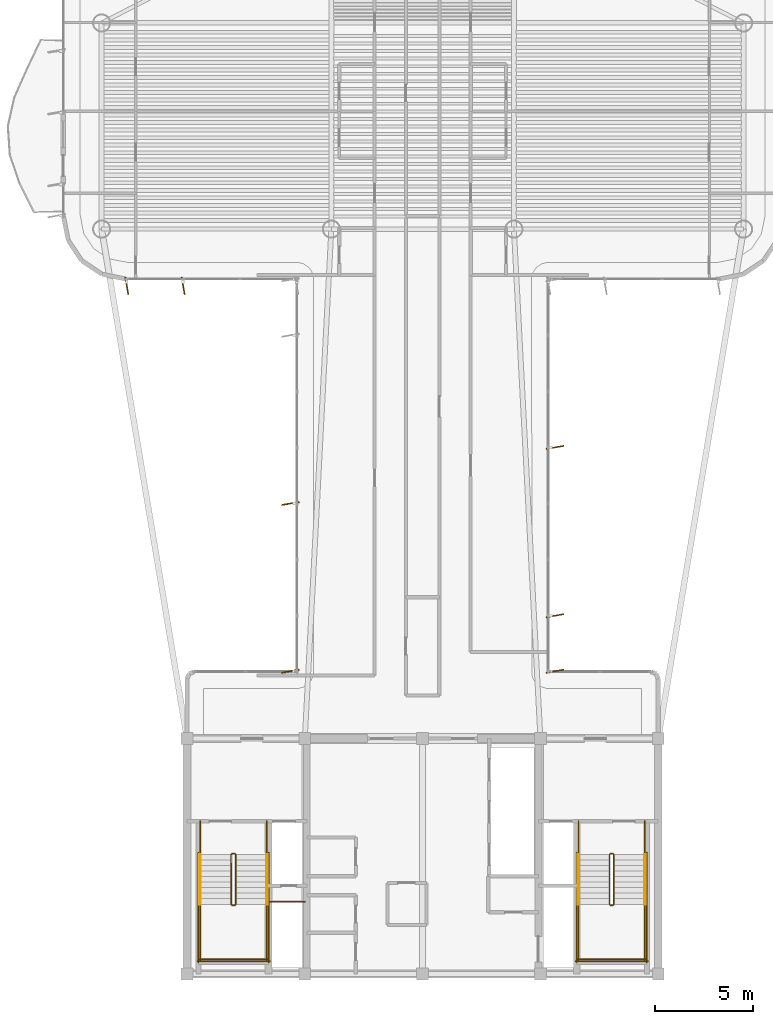
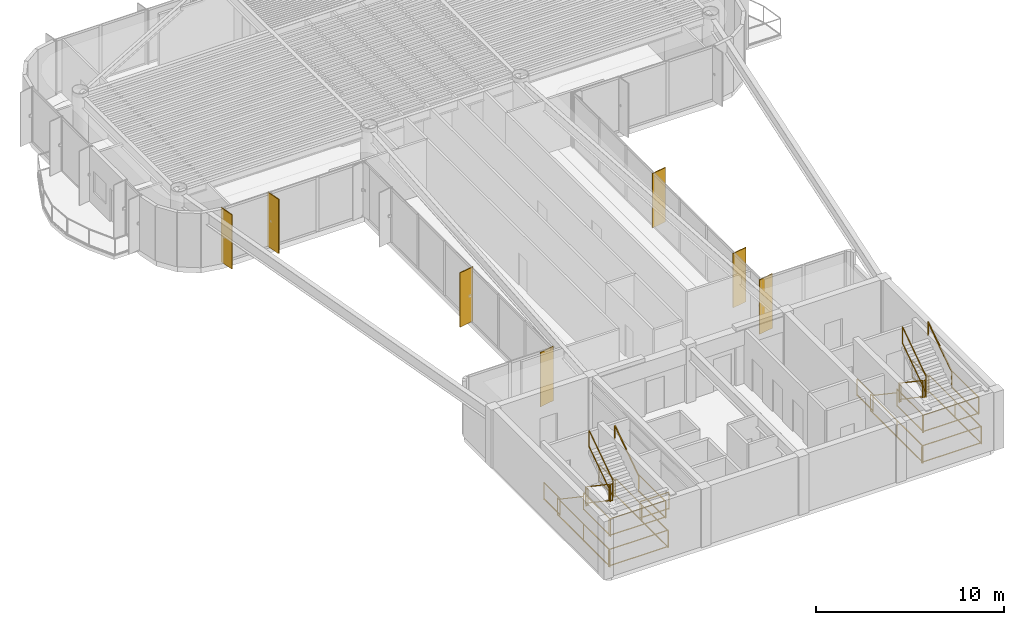
# One storey, part 15 of 16: 29 railings, 7 shading devices.
"""IFC4 building model written with IfcOpenShell, lengths in metres."""

import ifcopenshell
import ifcopenshell.guid

model = None  # the IFC model being written
_history = None  # IfcOwnerHistory: only IFC2X3 demands one
_inside = {}  # id of a spatial element -> (the spatial element, [elements in it])
_under = {}  # id of a project, library or spatial element -> (it, [spatial elements below it])
_declared = {}  # id of a project -> (the project, [libraries it declares])
_typed = {}  # id of a type object -> (the type object, [elements of that type])
_made_of = {}  # id of a material, layer set ... -> (it, [elements and type objects made of it])


def new_model(schema):
    """Start an empty IFC model of exactly this schema.

    Asked for "IFC4X3", IfcOpenShell would pick the latest addendum, in which some entities
    have other attributes; the version numbers below select the first issue.
    IFC2X3 requires an IfcOwnerHistory on every rooted entity: one is made here for all.
    """
    global model, _history
    if schema == "IFC4X3":
        model = ifcopenshell.file(schema_version=(4, 3, 0, 0))
    else:
        model = ifcopenshell.file(schema=schema)
    _inside.clear()
    _under.clear()
    _declared.clear()
    _typed.clear()
    _made_of.clear()
    _history = None
    if model.schema == "IFC2X3":
        org = make("IfcOrganization", Name="unknown")
        user = make(
            "IfcPersonAndOrganization",
            ThePerson=make("IfcPerson", FamilyName="unknown"),
            TheOrganization=org,
        )
        app = make(
            "IfcApplication",
            ApplicationDeveloper=org,
            Version="unknown",
            ApplicationFullName="unknown",
            ApplicationIdentifier="unknown",
        )
        _history = make(
            "IfcOwnerHistory",
            OwningUser=user,
            OwningApplication=app,
            ChangeAction="ADDED",
            CreationDate=0,
        )
    return model


def make(cls, **values):
    """One entity of the class cls with the attributes given. An attribute that is None is left unset."""
    return model.create_entity(
        cls, **{name: value for name, value in values.items() if value is not None}
    )


def rooted(cls, **values):
    """An entity with a GlobalId (a new one), such as an element, a storey or a relation."""
    return make(cls, GlobalId=ifcopenshell.guid.new(), OwnerHistory=_history, **values)


def si_unit(unit_type, name, prefix=None):
    """IfcSIUnit, for example si_unit("LENGTHUNIT", "METRE", prefix="MILLI")."""
    return make("IfcSIUnit", UnitType=unit_type, Prefix=prefix, Name=name)


def assignment(units):
    """IfcUnitAssignment: the units of a project."""
    return None if units is None else make("IfcUnitAssignment", Units=units)


def point(xyz):
    """IfcCartesianPoint."""
    return None if xyz is None else make("IfcCartesianPoint", Coordinates=xyz)


def direction(xyz):
    """IfcDirection."""
    return None if xyz is None else make("IfcDirection", DirectionRatios=xyz)


def frame(location, z_axis=None, x_axis=None):
    """IfcAxis2Placement3D, a coordinate frame: its origin and axes. An axis left out is left unset."""
    return make(
        "IfcAxis2Placement3D",
        Location=point(location),
        Axis=direction(z_axis),
        RefDirection=direction(x_axis),
    )


def frame_2d(location, x_axis=None):
    """IfcAxis2Placement2D, a coordinate frame in the plane: its origin and x axis."""
    return make(
        "IfcAxis2Placement2D", Location=point(location), RefDirection=direction(x_axis)
    )


def origin():
    """The frame at (0, 0, 0) with its axes left unset."""
    return frame((0.0, 0.0, 0.0))


def origin_2d():
    """The frame at (0, 0) in the plane with its x axis left unset."""
    return frame_2d((0.0, 0.0))


def place(relative_to, where):
    """IfcLocalPlacement: puts the frame where relative to a parent placement (None: the world)."""
    return make(
        "IfcLocalPlacement", PlacementRelTo=relative_to, RelativePlacement=where
    )


def context(
    kind, dimensions, precision=None, world=None, true_north=None, identifier=None
):
    """IfcGeometricRepresentationContext, for example the 3D "Model" context."""
    return make(
        "IfcGeometricRepresentationContext",
        ContextIdentifier=identifier,
        ContextType=kind,
        CoordinateSpaceDimension=dimensions,
        Precision=precision,
        WorldCoordinateSystem=world,
        TrueNorth=true_north,
    )


def subcontext(parent, identifier, kind, view, scale=None):
    """IfcGeometricRepresentationSubContext, for example "Body" below "Model"."""
    return make(
        "IfcGeometricRepresentationSubContext",
        ContextIdentifier=identifier,
        ContextType=kind,
        ParentContext=parent,
        TargetScale=scale,
        TargetView=view,
    )


def project(units=None, contexts=None):
    """IfcProject with its units and contexts."""
    return rooted(
        "IfcProject",
        Name="project",
        RepresentationContexts=contexts,
        UnitsInContext=assignment(units),
    )


def spatial(cls, under=None, at=None, **own):
    """A site, building, storey or space (cls), placed at a placement, below another one or the project."""
    s = rooted(cls, ObjectPlacement=at, **own)
    if under is not None:
        _under.setdefault(under.id(), (under, []))[1].append(s)
    return s


def profile(cls, at=None, kind="AREA", **sizes):
    """A parametric profile (cls). Its sizes go by their IFC names, for example OverallWidth=200.0."""
    return make(cls, ProfileType=kind, Position=at, **sizes)


def rectangle(**sizes):
    """IfcRectangleProfileDef."""
    return profile("IfcRectangleProfileDef", **sizes)


def extrude(swept, where, along, depth):
    """IfcExtrudedAreaSolid: the profile swept, set in the frame where, extruded along a direction by depth."""
    return make(
        "IfcExtrudedAreaSolid",
        SweptArea=swept,
        Position=where,
        ExtrudedDirection=direction(along),
        Depth=depth,
    )


def shape(context_of_items, identifier, shape_type, items):
    """IfcShapeRepresentation: the items that make up one representation, for example the "Body"."""
    return make(
        "IfcShapeRepresentation",
        ContextOfItems=context_of_items,
        RepresentationIdentifier=identifier,
        RepresentationType=shape_type,
        Items=items,
    )


def source(mapping_origin, context_of_items, identifier, shape_type, items):
    """IfcRepresentationMap: a shape defined once, which mapped items show again and again."""
    return make(
        "IfcRepresentationMap",
        MappingOrigin=mapping_origin,
        MappedRepresentation=shape(context_of_items, identifier, shape_type, items),
    )


def transform(
    local_origin,
    x_axis=None,
    y_axis=None,
    z_axis=None,
    scale=None,
    scale2=None,
    scale3=None,
    uniform=True,
):
    """IfcCartesianTransformationOperator3D, or its non-uniform kind. x_axis, y_axis, z_axis: its Axis1, 2, 3."""
    if uniform:
        return make(
            "IfcCartesianTransformationOperator3D",
            Axis1=direction(x_axis),
            Axis2=direction(y_axis),
            LocalOrigin=point(local_origin),
            Scale=scale,
            Axis3=direction(z_axis),
        )
    return make(
        "IfcCartesianTransformationOperator3DnonUniform",
        Axis1=direction(x_axis),
        Axis2=direction(y_axis),
        LocalOrigin=point(local_origin),
        Scale=scale,
        Axis3=direction(z_axis),
        Scale2=scale2,
        Scale3=scale3,
    )


def mapped(mapping_source, mapping_target):
    """IfcMappedItem: shows the shape of a source again, moved by a transform."""
    return make(
        "IfcMappedItem", MappingSource=mapping_source, MappingTarget=mapping_target
    )


def material(Name=None, Category=None):
    """IfcMaterial."""
    return make("IfcMaterial", Name=Name, Category=Category)


def layer(
    of_material, thickness, ventilated=None, Name=None, Category=None, Priority=None
):
    """IfcMaterialLayer: one layer of a wall or slab, of a material (None: an air gap)."""
    return make(
        "IfcMaterialLayer",
        Material=of_material,
        LayerThickness=thickness,
        IsVentilated=ventilated,
        Name=Name,
        Category=Category,
        Priority=Priority,
    )


def layer_set(layers, Name=None):
    """IfcMaterialLayerSet."""
    return make("IfcMaterialLayerSet", MaterialLayers=layers, LayerSetName=Name)


def material_profile(
    of_material, cross_section, Name=None, Category=None, Priority=None
):
    """IfcMaterialProfile: a cross section and its material."""
    return make(
        "IfcMaterialProfile",
        Name=Name,
        Material=of_material,
        Profile=cross_section,
        Priority=Priority,
        Category=Category,
    )


def profile_set(profiles, Name=None, composite=None):
    """IfcMaterialProfileSet."""
    return make(
        "IfcMaterialProfileSet",
        Name=Name,
        MaterialProfiles=profiles,
        CompositeProfile=composite,
    )


def made_of(thing, what):
    """Note that an element or type object is made of a material, layer set ...; save() writes the relation."""
    if what is not None:
        _made_of.setdefault(what.id(), (what, []))[1].append(thing)
    return thing


def type_object(cls, material=None, **own):
    """A type object (cls), such as IfcWallType, which elements share."""
    return made_of(rooted(cls, **own), material)


def element(
    cls,
    number,
    at=None,
    inside=None,
    cuts=None,
    type_object=None,
    material=None,
    context=None,
    identifier="Body",
    shape_type=None,
    held_by="IfcProductDefinitionShape",
    body=None,
    shapes=None,
    **own,
):
    """One element of the class cls, such as IfcWall. Its Tag is "e" and its number.

    at: its placement. inside: the storey or other place that contains it. cuts: it is an
    opening in that element (IfcRelVoidsElement). A single representation is given by context,
    identifier, shape_type and body (its items); several are given by shapes. held_by: the class
    of the entity that holds the representations. save() writes the other relations.
    """
    e = rooted(cls, Tag="e%d" % number, ObjectPlacement=at, **own)
    if body is not None:
        shapes = [shape(context, identifier, shape_type, body)]
    if shapes is not None:
        e.Representation = make(held_by, Representations=shapes)
    if inside is not None:
        _inside.setdefault(inside.id(), (inside, []))[1].append(e)
    if cuts is not None:
        rooted(
            "IfcRelVoidsElement", RelatingBuildingElement=cuts, RelatedOpeningElement=e
        )
    if type_object is not None:
        _typed.setdefault(type_object.id(), (type_object, []))[1].append(e)
    return made_of(e, material)


def aggregate(whole, parts):
    """IfcRelAggregates: a whole, such as a stair, and the parts it consists of."""
    return rooted("IfcRelAggregates", RelatingObject=whole, RelatedObjects=parts)


def save(model, path):
    """Write the relations noted so far, then the file.

    IfcRelAggregates (storeys below a building ...), IfcRelContainedInSpatialStructure (elements
    in a storey), IfcRelDefinesByType, IfcRelAssociatesMaterial and IfcRelDeclares: one each for
    every whole, place, type object, material and project.
    """
    for whole, parts in _under.values():
        aggregate(whole, parts)
    for where, things in _inside.values():
        rooted(
            "IfcRelContainedInSpatialStructure",
            RelatedElements=things,
            RelatingStructure=where,
        )
    for kind, things in _typed.values():
        rooted("IfcRelDefinesByType", RelatedObjects=things, RelatingType=kind)
    for what, things in _made_of.values():
        rooted("IfcRelAssociatesMaterial", RelatedObjects=things, RelatingMaterial=what)
    for by, libraries in _declared.values():
        rooted("IfcRelDeclares", RelatingContext=by, RelatedDefinitions=libraries)
    model.write(path)


model = new_model("IFC4")

# Units and contexts
model_context = context("Model", 3, precision=1e-05, world=origin(), true_north=direction((0.0, 1.0)))
body_context = subcontext(model_context, "Body", "Model", "MODEL_VIEW")
ifc_project = project(units=[si_unit("LENGTHUNIT", "METRE"), si_unit("AREAUNIT", "SQUARE_METRE"), si_unit("VOLUMEUNIT", "CUBIC_METRE"), si_unit("PLANEANGLEUNIT", "RADIAN"), si_unit("MASSUNIT", "GRAM", prefix="KILO")], contexts=[model_context])

# Site, building, storey
site_placement = place(None, origin())
site = spatial("IfcSite", under=ifc_project, at=site_placement, CompositionType="ELEMENT")
building_placement = place(site_placement, origin())
building = spatial("IfcBuilding", under=site, at=building_placement, Name="Brelvock Crest Care Tower", CompositionType="ELEMENT")
storey_placement = place(building_placement, frame((0.0, 0.0, 223.02001953125)))
storey = spatial("IfcBuildingStorey", under=building, at=storey_placement, Name="L56", CompositionType="ELEMENT", Elevation=223.02001953125)

# Railings
ifc_material_1 = material(Name="Steel Grade 350", Category="steel")
ifc_layer_1 = layer(ifc_material_1, 0.050048828125, Name="RL-STG1")
ifc_layer_set_1 = layer_set([ifc_layer_1], Name="Steel Grade 350")
railing_type_1 = type_object("IfcRailingType", Name="RL-STG1", PredefinedType="GUARDRAIL", material=ifc_layer_set_1)
railing_1_placement = place(storey_placement, frame((26.260009765625, 12.080078125, 0.18896484375)))
element("IfcRailing", 1, at=railing_1_placement, inside=storey, type_object=railing_type_1, Name="L56 ST-1 stair guard 1", PredefinedType="GUARDRAIL", context=body_context, shape_type="SweptSolid", body=[
    extrude(rectangle(XDim=0.048095703125, YDim=0.048095703125, at=origin_2d()), frame((0.0, -0.001708984375, 1.116943359375), z_axis=(0.0, -0.828861706735, 0.559453546873), x_axis=(1.0, 0.0, 0.0)), (0.0, 0.0, 1.0), 3.036376953125),
    extrude(rectangle(XDim=0.048095703125, YDim=0.048095703125, at=origin_2d()), frame((0.0, -0.001708984375, 0.05615234375), z_axis=(0.0, -0.828861706735, 0.559453546873), x_axis=(1.0, 0.0, 0.0)), (0.0, 0.0, 1.0), 3.036376953125),
    extrude(rectangle(XDim=0.0419921875, YDim=0.0419921875, at=origin_2d()), origin(), (0.0, 0.0, 1.0), 1.08984375),
    extrude(rectangle(XDim=0.0419921875, YDim=0.0419921875, at=origin_2d()), frame((0.0, -2.52001953125, 1.700927734375)), (0.0, 0.0, 1.0), 1.08984375),
])
railing_2_placement = place(storey_placement, frame((26.31005859375, 9.510009765625, 1.889892578125)))
element("IfcRailing", 2, at=railing_2_placement, inside=storey, type_object=railing_type_1, Name="L56 ST-1 stair guard 2", PredefinedType="GUARDRAIL", context=body_context, shape_type="SweptSolid", body=[
    extrude(rectangle(XDim=0.048095703125, YDim=0.048095703125, at=origin_2d()), frame((0.001953125, 0.0, 1.11572265625), z_axis=(1.0, 0.0, 0.0), x_axis=(0.0, 1.0, 0.0)), (0.0, 0.0, 1.0), 0.115966796875),
    extrude(rectangle(XDim=0.048095703125, YDim=0.048095703125, at=origin_2d()), frame((0.001953125, 0.0, 0.054931640625), z_axis=(1.0, 0.0, 0.0), x_axis=(0.0, 1.0, 0.0)), (0.0, 0.0, 1.0), 0.115966796875),
    extrude(rectangle(XDim=0.0419921875, YDim=0.0419921875, at=origin_2d()), origin(), (0.0, 0.0, 1.0), 1.08984375),
    extrude(rectangle(XDim=0.0419921875, YDim=0.0419921875, at=origin_2d()), frame((0.119873046875, 0.0, 0.0)), (0.0, 0.0, 1.0), 1.08984375),
])
for number, where, name in (
    (3, (24.679931640625, 9.56005859375, 1.889892578125), "L56 ST-1 stair guard 3"),
    (4, (28.06005859375, 9.56005859375, 1.889892578125), "L56 ST-1 stair guard 4"),
):
    element("IfcRailing", number, at=place(storey_placement, frame(where)), inside=storey, type_object=railing_type_1, Name=name, PredefinedType="GUARDRAIL", context=body_context, shape_type="SweptSolid", body=[
        extrude(rectangle(XDim=0.048095703125, YDim=0.048095703125, at=origin_2d()), frame((0.0, -0.001953125, 1.11572265625), z_axis=(0.0, -1.0, 0.0), x_axis=(1.0, 0.0, 0.0)), (0.0, 0.0, 1.0), 2.856201171875),
        extrude(rectangle(XDim=0.048095703125, YDim=0.048095703125, at=origin_2d()), frame((0.0, -0.001953125, 0.054931640625), z_axis=(0.0, -1.0, 0.0), x_axis=(1.0, 0.0, 0.0)), (0.0, 0.0, 1.0), 2.856201171875),
        extrude(rectangle(XDim=0.0419921875, YDim=0.0419921875, at=origin_2d()), origin(), (0.0, 0.0, 1.0), 1.08984375),
        extrude(rectangle(XDim=0.0419921875, YDim=0.0419921875, at=origin_2d()), frame((0.0, -2.860107421875, 0.0)), (0.0, 0.0, 1.0), 1.08984375),
    ])
railing_3_placement = place(storey_placement, frame((24.6298828125, 6.75, 1.889892578125)))
element("IfcRailing", 5, at=railing_3_placement, inside=storey, type_object=railing_type_1, Name="L56 ST-1 stair guard 5", PredefinedType="GUARDRAIL", context=body_context, shape_type="SweptSolid", body=[
    extrude(rectangle(XDim=0.048095703125, YDim=0.048095703125, at=origin_2d()), frame((0.001953125, 0.0, 1.11572265625), z_axis=(1.0, 0.0, 0.0), x_axis=(0.0, 1.0, 0.0)), (0.0, 0.0, 1.0), 3.476318359375),
    extrude(rectangle(XDim=0.048095703125, YDim=0.048095703125, at=origin_2d()), frame((0.001953125, 0.0, 0.054931640625), z_axis=(1.0, 0.0, 0.0), x_axis=(0.0, 1.0, 0.0)), (0.0, 0.0, 1.0), 3.476318359375),
    extrude(rectangle(XDim=0.0419921875, YDim=0.0419921875, at=origin_2d()), origin(), (0.0, 0.0, 1.0), 1.08984375),
    extrude(rectangle(XDim=0.0419921875, YDim=0.0419921875, at=origin_2d()), frame((3.480224609375, 0.0, 0.0)), (0.0, 0.0, 1.0), 1.08984375),
])
railing_4_placement = place(storey_placement, frame((26.47998046875, 9.56005859375, 2.0791015625)))
element("IfcRailing", 6, at=railing_4_placement, inside=storey, type_object=railing_type_1, Name="L56 ST-1 stair guard 6", PredefinedType="GUARDRAIL", context=body_context, shape_type="SweptSolid", body=[
    extrude(rectangle(XDim=0.048095703125, YDim=0.048095703125, at=origin_2d()), frame((0.0, 0.001708984375, 1.116943359375), z_axis=(0.0, 0.828861706735, 0.559453546873), x_axis=(-1.0, 0.0, 0.0)), (0.0, 0.0, 1.0), 3.036376953125),
    extrude(rectangle(XDim=0.048095703125, YDim=0.048095703125, at=origin_2d()), frame((0.0, 0.001708984375, 0.05615234375), z_axis=(0.0, 0.828861706735, 0.559453546873), x_axis=(-1.0, 0.0, 0.0)), (0.0, 0.0, 1.0), 3.036376953125),
    extrude(rectangle(XDim=0.0419921875, YDim=0.0419921875, at=origin_2d()), origin(), (0.0, 0.0, 1.0), 1.08984375),
    extrude(rectangle(XDim=0.0419921875, YDim=0.0419921875, at=origin_2d()), frame((0.0, 2.52001953125, 1.700927734375)), (0.0, 0.0, 1.0), 1.08984375),
])
railing_5_placement = place(storey_placement, frame((26.31005859375, 12.1298828125, 0.0)))
element("IfcRailing", 7, at=railing_5_placement, inside=storey, type_object=railing_type_1, Name="L56 ST-1 stair guard 7", PredefinedType="GUARDRAIL", context=body_context, shape_type="SweptSolid", body=[
    extrude(rectangle(XDim=0.048095703125, YDim=0.048095703125, at=origin_2d()), frame((0.001953125, 0.0, 1.11572265625), z_axis=(1.0, 0.0, 0.0), x_axis=(0.0, 1.0, 0.0)), (0.0, 0.0, 1.0), 0.115966796875),
    extrude(rectangle(XDim=0.048095703125, YDim=0.048095703125, at=origin_2d()), frame((0.001953125, 0.0, 0.054931640625), z_axis=(1.0, 0.0, 0.0), x_axis=(0.0, 1.0, 0.0)), (0.0, 0.0, 1.0), 0.115966796875),
    extrude(rectangle(XDim=0.0419921875, YDim=0.0419921875, at=origin_2d()), origin(), (0.0, 0.0, 1.0), 1.08984375),
    extrude(rectangle(XDim=0.0419921875, YDim=0.0419921875, at=origin_2d()), frame((0.119873046875, 0.0, 0.0)), (0.0, 0.0, 1.0), 1.08984375),
])
for number, where, name in (
    (8, (24.679931640625, 13.780029296875, 0.0), "L56 ST-1 stair guard 8"),
    (9, (28.06005859375, 13.780029296875, 0.0), "L56 ST-1 stair guard 9"),
):
    element("IfcRailing", number, at=place(storey_placement, frame(where)), inside=storey, type_object=railing_type_1, Name=name, PredefinedType="GUARDRAIL", context=body_context, shape_type="SweptSolid", body=[
        extrude(rectangle(XDim=0.048095703125, YDim=0.048095703125, at=origin_2d()), frame((0.0, -0.001953125, 1.11572265625), z_axis=(0.0, -1.0, 0.0), x_axis=(1.0, 0.0, 0.0)), (0.0, 0.0, 1.0), 1.696044921875),
        extrude(rectangle(XDim=0.048095703125, YDim=0.048095703125, at=origin_2d()), frame((0.0, -0.001953125, 0.054931640625), z_axis=(0.0, -1.0, 0.0), x_axis=(1.0, 0.0, 0.0)), (0.0, 0.0, 1.0), 1.696044921875),
        extrude(rectangle(XDim=0.0419921875, YDim=0.0419921875, at=origin_2d()), origin(), (0.0, 0.0, 1.0), 1.08984375),
        extrude(rectangle(XDim=0.0419921875, YDim=0.0419921875, at=origin_2d()), frame((0.0, -1.699951171875, 0.0)), (0.0, 0.0, 1.0), 1.08984375),
    ])
for number, where, name in (
    (10, (24.580078125, 12.179931640625, 0.0), "L56 ST-1 stair guard 10"),
    (11, (28.159912109375, 12.179931640625, 0.0), "L56 ST-1 stair guard 11"),
):
    element("IfcRailing", number, at=place(storey_placement, frame(where)), inside=storey, type_object=railing_type_1, Name=name, PredefinedType="GUARDRAIL", context=body_context, shape_type="SweptSolid", body=[
        extrude(rectangle(XDim=0.048095703125, YDim=0.048095703125, at=origin_2d()), frame((0.0, -0.001953125, 1.11572265625), z_axis=(0.0, -1.0, 0.0), x_axis=(1.0, 0.0, 0.0)), (0.0, 0.0, 1.0), 5.575927734375),
        extrude(rectangle(XDim=0.048095703125, YDim=0.048095703125, at=origin_2d()), frame((0.0, -0.001953125, 0.054931640625), z_axis=(0.0, -1.0, 0.0), x_axis=(1.0, 0.0, 0.0)), (0.0, 0.0, 1.0), 5.575927734375),
        extrude(rectangle(XDim=0.0419921875, YDim=0.0419921875, at=origin_2d()), origin(), (0.0, 0.0, 1.0), 1.08984375),
        extrude(rectangle(XDim=0.0419921875, YDim=0.0419921875, at=origin_2d()), frame((0.0, -2.7900390625, 0.0)), (0.0, 0.0, 1.0), 1.08984375),
        extrude(rectangle(XDim=0.0419921875, YDim=0.0419921875, at=origin_2d()), frame((0.0, -5.579833984375, 0.0)), (0.0, 0.0, 1.0), 1.08984375),
    ])
railing_6_placement = place(storey_placement, frame((24.530029296875, 6.64990234375, 0.0)))
element("IfcRailing", 12, at=railing_6_placement, inside=storey, type_object=railing_type_1, Name="L56 ST-1 stair guard 12", PredefinedType="GUARDRAIL", context=body_context, shape_type="SweptSolid", body=[
    extrude(rectangle(XDim=0.048095703125, YDim=0.048095703125, at=origin_2d()), frame((0.001953125, 0.0, 1.11572265625), z_axis=(1.0, 0.0, 0.0), x_axis=(0.0, 1.0, 0.0)), (0.0, 0.0, 1.0), 3.676025390625),
    extrude(rectangle(XDim=0.048095703125, YDim=0.048095703125, at=origin_2d()), frame((0.001953125, 0.0, 0.054931640625), z_axis=(1.0, 0.0, 0.0), x_axis=(0.0, 1.0, 0.0)), (0.0, 0.0, 1.0), 3.676025390625),
    extrude(rectangle(XDim=0.0419921875, YDim=0.0419921875, at=origin_2d()), origin(), (0.0, 0.0, 1.0), 1.08984375),
    extrude(rectangle(XDim=0.0419921875, YDim=0.0419921875, at=origin_2d()), frame((3.679931640625, 0.0, 0.0)), (0.0, 0.0, 1.0), 1.08984375),
])
railing_7_placement = place(storey_placement, frame((45.52001953125, 12.080078125, 0.18896484375)))
element("IfcRailing", 13, at=railing_7_placement, inside=storey, type_object=railing_type_1, Name="L56 ST-2 stair guard 1", PredefinedType="GUARDRAIL", context=body_context, shape_type="SweptSolid", body=[
    extrude(rectangle(XDim=0.048095703125, YDim=0.048095703125, at=origin_2d()), frame((0.0, -0.001708984375, 1.116943359375), z_axis=(0.0, -0.828861706735, 0.559453546873), x_axis=(1.0, 0.0, 0.0)), (0.0, 0.0, 1.0), 3.036376953125),
    extrude(rectangle(XDim=0.048095703125, YDim=0.048095703125, at=origin_2d()), frame((0.0, -0.001708984375, 0.05615234375), z_axis=(0.0, -0.828861706735, 0.559453546873), x_axis=(1.0, 0.0, 0.0)), (0.0, 0.0, 1.0), 3.036376953125),
    extrude(rectangle(XDim=0.0419921875, YDim=0.0419921875, at=origin_2d()), origin(), (0.0, 0.0, 1.0), 1.08984375),
    extrude(rectangle(XDim=0.0419921875, YDim=0.0419921875, at=origin_2d()), frame((0.0, -2.52001953125, 1.700927734375)), (0.0, 0.0, 1.0), 1.08984375),
])
railing_8_placement = place(storey_placement, frame((45.570068359375, 9.510009765625, 1.889892578125)))
element("IfcRailing", 14, at=railing_8_placement, inside=storey, type_object=railing_type_1, Name="L56 ST-2 stair guard 2", PredefinedType="GUARDRAIL", context=body_context, shape_type="SweptSolid", body=[
    extrude(rectangle(XDim=0.048095703125, YDim=0.048095703125, at=origin_2d()), frame((0.001953125, 0.0, 1.11572265625), z_axis=(1.0, 0.0, 0.0), x_axis=(0.0, 1.0, 0.0)), (0.0, 0.0, 1.0), 0.115966796875),
    extrude(rectangle(XDim=0.048095703125, YDim=0.048095703125, at=origin_2d()), frame((0.001953125, 0.0, 0.054931640625), z_axis=(1.0, 0.0, 0.0), x_axis=(0.0, 1.0, 0.0)), (0.0, 0.0, 1.0), 0.115966796875),
    extrude(rectangle(XDim=0.0419921875, YDim=0.0419921875, at=origin_2d()), origin(), (0.0, 0.0, 1.0), 1.08984375),
    extrude(rectangle(XDim=0.0419921875, YDim=0.0419921875, at=origin_2d()), frame((0.119873046875, 0.0, 0.0)), (0.0, 0.0, 1.0), 1.08984375),
])
for number, where, name in (
    (15, (43.93994140625, 9.56005859375, 1.889892578125), "L56 ST-2 stair guard 3"),
    (16, (47.320068359375, 9.56005859375, 1.889892578125), "L56 ST-2 stair guard 4"),
):
    element("IfcRailing", number, at=place(storey_placement, frame(where)), inside=storey, type_object=railing_type_1, Name=name, PredefinedType="GUARDRAIL", context=body_context, shape_type="SweptSolid", body=[
        extrude(rectangle(XDim=0.048095703125, YDim=0.048095703125, at=origin_2d()), frame((0.0, -0.001953125, 1.11572265625), z_axis=(0.0, -1.0, 0.0), x_axis=(1.0, 0.0, 0.0)), (0.0, 0.0, 1.0), 2.856201171875),
        extrude(rectangle(XDim=0.048095703125, YDim=0.048095703125, at=origin_2d()), frame((0.0, -0.001953125, 0.054931640625), z_axis=(0.0, -1.0, 0.0), x_axis=(1.0, 0.0, 0.0)), (0.0, 0.0, 1.0), 2.856201171875),
        extrude(rectangle(XDim=0.0419921875, YDim=0.0419921875, at=origin_2d()), origin(), (0.0, 0.0, 1.0), 1.08984375),
        extrude(rectangle(XDim=0.0419921875, YDim=0.0419921875, at=origin_2d()), frame((0.0, -2.860107421875, 0.0)), (0.0, 0.0, 1.0), 1.08984375),
    ])
railing_9_placement = place(storey_placement, frame((43.889892578125, 6.75, 1.889892578125)))
element("IfcRailing", 17, at=railing_9_placement, inside=storey, type_object=railing_type_1, Name="L56 ST-2 stair guard 5", PredefinedType="GUARDRAIL", context=body_context, shape_type="SweptSolid", body=[
    extrude(rectangle(XDim=0.048095703125, YDim=0.048095703125, at=origin_2d()), frame((0.001953125, 0.0, 1.11572265625), z_axis=(1.0, 0.0, 0.0), x_axis=(0.0, 1.0, 0.0)), (0.0, 0.0, 1.0), 3.476318359375),
    extrude(rectangle(XDim=0.048095703125, YDim=0.048095703125, at=origin_2d()), frame((0.001953125, 0.0, 0.054931640625), z_axis=(1.0, 0.0, 0.0), x_axis=(0.0, 1.0, 0.0)), (0.0, 0.0, 1.0), 3.476318359375),
    extrude(rectangle(XDim=0.0419921875, YDim=0.0419921875, at=origin_2d()), origin(), (0.0, 0.0, 1.0), 1.08984375),
    extrude(rectangle(XDim=0.0419921875, YDim=0.0419921875, at=origin_2d()), frame((3.480224609375, 0.0, 0.0)), (0.0, 0.0, 1.0), 1.08984375),
])
railing_10_placement = place(storey_placement, frame((45.739990234375, 9.56005859375, 2.0791015625)))
element("IfcRailing", 18, at=railing_10_placement, inside=storey, type_object=railing_type_1, Name="L56 ST-2 stair guard 6", PredefinedType="GUARDRAIL", context=body_context, shape_type="SweptSolid", body=[
    extrude(rectangle(XDim=0.048095703125, YDim=0.048095703125, at=origin_2d()), frame((0.0, 0.001708984375, 1.116943359375), z_axis=(0.0, 0.828861706735, 0.559453546873), x_axis=(-1.0, 0.0, 0.0)), (0.0, 0.0, 1.0), 3.036376953125),
    extrude(rectangle(XDim=0.048095703125, YDim=0.048095703125, at=origin_2d()), frame((0.0, 0.001708984375, 0.05615234375), z_axis=(0.0, 0.828861706735, 0.559453546873), x_axis=(-1.0, 0.0, 0.0)), (0.0, 0.0, 1.0), 3.036376953125),
    extrude(rectangle(XDim=0.0419921875, YDim=0.0419921875, at=origin_2d()), origin(), (0.0, 0.0, 1.0), 1.08984375),
    extrude(rectangle(XDim=0.0419921875, YDim=0.0419921875, at=origin_2d()), frame((0.0, 2.52001953125, 1.700927734375)), (0.0, 0.0, 1.0), 1.08984375),
])
railing_11_placement = place(storey_placement, frame((45.570068359375, 12.1298828125, 0.0)))
element("IfcRailing", 19, at=railing_11_placement, inside=storey, type_object=railing_type_1, Name="L56 ST-2 stair guard 7", PredefinedType="GUARDRAIL", context=body_context, shape_type="SweptSolid", body=[
    extrude(rectangle(XDim=0.048095703125, YDim=0.048095703125, at=origin_2d()), frame((0.001953125, 0.0, 1.11572265625), z_axis=(1.0, 0.0, 0.0), x_axis=(0.0, 1.0, 0.0)), (0.0, 0.0, 1.0), 0.115966796875),
    extrude(rectangle(XDim=0.048095703125, YDim=0.048095703125, at=origin_2d()), frame((0.001953125, 0.0, 0.054931640625), z_axis=(1.0, 0.0, 0.0), x_axis=(0.0, 1.0, 0.0)), (0.0, 0.0, 1.0), 0.115966796875),
    extrude(rectangle(XDim=0.0419921875, YDim=0.0419921875, at=origin_2d()), origin(), (0.0, 0.0, 1.0), 1.08984375),
    extrude(rectangle(XDim=0.0419921875, YDim=0.0419921875, at=origin_2d()), frame((0.119873046875, 0.0, 0.0)), (0.0, 0.0, 1.0), 1.08984375),
])
for number, where, name in (
    (20, (43.93994140625, 13.780029296875, 0.0), "L56 ST-2 stair guard 8"),
    (21, (47.320068359375, 13.780029296875, 0.0), "L56 ST-2 stair guard 9"),
):
    element("IfcRailing", number, at=place(storey_placement, frame(where)), inside=storey, type_object=railing_type_1, Name=name, PredefinedType="GUARDRAIL", context=body_context, shape_type="SweptSolid", body=[
        extrude(rectangle(XDim=0.048095703125, YDim=0.048095703125, at=origin_2d()), frame((0.0, -0.001953125, 1.11572265625), z_axis=(0.0, -1.0, 0.0), x_axis=(1.0, 0.0, 0.0)), (0.0, 0.0, 1.0), 1.696044921875),
        extrude(rectangle(XDim=0.048095703125, YDim=0.048095703125, at=origin_2d()), frame((0.0, -0.001953125, 0.054931640625), z_axis=(0.0, -1.0, 0.0), x_axis=(1.0, 0.0, 0.0)), (0.0, 0.0, 1.0), 1.696044921875),
        extrude(rectangle(XDim=0.0419921875, YDim=0.0419921875, at=origin_2d()), origin(), (0.0, 0.0, 1.0), 1.08984375),
        extrude(rectangle(XDim=0.0419921875, YDim=0.0419921875, at=origin_2d()), frame((0.0, -1.699951171875, 0.0)), (0.0, 0.0, 1.0), 1.08984375),
    ])
for number, where, name in (
    (22, (43.840087890625, 12.179931640625, 0.0), "L56 ST-2 stair guard 10"),
    (23, (47.419921875, 12.179931640625, 0.0), "L56 ST-2 stair guard 11"),
):
    element("IfcRailing", number, at=place(storey_placement, frame(where)), inside=storey, type_object=railing_type_1, Name=name, PredefinedType="GUARDRAIL", context=body_context, shape_type="SweptSolid", body=[
        extrude(rectangle(XDim=0.048095703125, YDim=0.048095703125, at=origin_2d()), frame((0.0, -0.001953125, 1.11572265625), z_axis=(0.0, -1.0, 0.0), x_axis=(1.0, 0.0, 0.0)), (0.0, 0.0, 1.0), 5.575927734375),
        extrude(rectangle(XDim=0.048095703125, YDim=0.048095703125, at=origin_2d()), frame((0.0, -0.001953125, 0.054931640625), z_axis=(0.0, -1.0, 0.0), x_axis=(1.0, 0.0, 0.0)), (0.0, 0.0, 1.0), 5.575927734375),
        extrude(rectangle(XDim=0.0419921875, YDim=0.0419921875, at=origin_2d()), origin(), (0.0, 0.0, 1.0), 1.08984375),
        extrude(rectangle(XDim=0.0419921875, YDim=0.0419921875, at=origin_2d()), frame((0.0, -2.7900390625, 0.0)), (0.0, 0.0, 1.0), 1.08984375),
        extrude(rectangle(XDim=0.0419921875, YDim=0.0419921875, at=origin_2d()), frame((0.0, -5.579833984375, 0.0)), (0.0, 0.0, 1.0), 1.08984375),
    ])
railing_12_placement = place(storey_placement, frame((43.7900390625, 6.64990234375, 0.0)))
element("IfcRailing", 24, at=railing_12_placement, inside=storey, type_object=railing_type_1, Name="L56 ST-2 stair guard 12", PredefinedType="GUARDRAIL", context=body_context, shape_type="SweptSolid", body=[
    extrude(rectangle(XDim=0.048095703125, YDim=0.048095703125, at=origin_2d()), frame((0.001953125, 0.0, 1.11572265625), z_axis=(1.0, 0.0, 0.0), x_axis=(0.0, 1.0, 0.0)), (0.0, 0.0, 1.0), 3.676025390625),
    extrude(rectangle(XDim=0.048095703125, YDim=0.048095703125, at=origin_2d()), frame((0.001953125, 0.0, 0.054931640625), z_axis=(1.0, 0.0, 0.0), x_axis=(0.0, 1.0, 0.0)), (0.0, 0.0, 1.0), 3.676025390625),
    extrude(rectangle(XDim=0.0419921875, YDim=0.0419921875, at=origin_2d()), origin(), (0.0, 0.0, 1.0), 1.08984375),
    extrude(rectangle(XDim=0.0419921875, YDim=0.0419921875, at=origin_2d()), frame((3.679931640625, 0.0, 0.0)), (0.0, 0.0, 1.0), 1.08984375),
])
railing_13_placement = place(storey_placement, frame((28.219970703125, 9.679931640625, 0.0)))
element("IfcRailing", 25, at=railing_13_placement, inside=storey, type_object=railing_type_1, Name="L56 Fire Riser Threshold Guard", PredefinedType="GUARDRAIL", context=body_context, shape_type="SweptSolid", body=[
    extrude(rectangle(XDim=0.048095703125, YDim=0.048095703125, at=origin_2d()), frame((0.001953125, 0.0, 1.11572265625), z_axis=(1.0, 0.0, 0.0), x_axis=(0.0, 1.0, 0.0)), (0.0, 0.0, 1.0), 1.776123046875),
    extrude(rectangle(XDim=0.048095703125, YDim=0.048095703125, at=origin_2d()), frame((0.001953125, 0.0, 0.054931640625), z_axis=(1.0, 0.0, 0.0), x_axis=(0.0, 1.0, 0.0)), (0.0, 0.0, 1.0), 1.776123046875),
    extrude(rectangle(XDim=0.0419921875, YDim=0.0419921875, at=origin_2d()), origin(), (0.0, 0.0, 1.0), 1.08984375),
    extrude(rectangle(XDim=0.0419921875, YDim=0.0419921875, at=origin_2d()), frame((1.780029296875, 0.0, 0.0)), (0.0, 0.0, 1.0), 1.08984375),
])
ifc_layer_2 = layer(ifc_material_1, 0.048095703125, Name="RL-STH1")
ifc_layer_set_2 = layer_set([ifc_layer_2], Name="Steel Grade 350")
railing_type_2 = type_object("IfcRailingType", Name="RL-STH1", PredefinedType="HANDRAIL", material=ifc_layer_set_2)
railing_14_placement = place(storey_placement, frame((24.679931640625, 12.080078125, 0.18896484375)))
element("IfcRailing", 26, at=railing_14_placement, inside=storey, type_object=railing_type_2, Name="L56 ST-1 stair handrail 1", PredefinedType="HANDRAIL", context=body_context, shape_type="SweptSolid", body=[
    extrude(rectangle(XDim=0.048095703125, YDim=0.048095703125, at=origin_2d()), frame((0.0, -0.001708984375, 0.876953125), z_axis=(0.0, -0.828861706735, 0.559453546873), x_axis=(1.0, 0.0, 0.0)), (0.0, 0.0, 1.0), 3.036376953125),
    extrude(rectangle(XDim=0.0419921875, YDim=0.0419921875, at=origin_2d()), origin(), (0.0, 0.0, 1.0), 0.849853515625),
    extrude(rectangle(XDim=0.0419921875, YDim=0.0419921875, at=origin_2d()), frame((0.0, -2.52001953125, 1.700927734375)), (0.0, 0.0, 1.0), 0.849853515625),
])
railing_15_placement = place(storey_placement, frame((28.06005859375, 9.56005859375, 2.0791015625)))
element("IfcRailing", 27, at=railing_15_placement, inside=storey, type_object=railing_type_2, Name="L56 ST-1 stair handrail 2", PredefinedType="HANDRAIL", context=body_context, shape_type="SweptSolid", body=[
    extrude(rectangle(XDim=0.048095703125, YDim=0.048095703125, at=origin_2d()), frame((0.0, 0.001708984375, 0.876953125), z_axis=(0.0, 0.828861706735, 0.559453546873), x_axis=(-1.0, 0.0, 0.0)), (0.0, 0.0, 1.0), 3.036376953125),
    extrude(rectangle(XDim=0.0419921875, YDim=0.0419921875, at=origin_2d()), origin(), (0.0, 0.0, 1.0), 0.849853515625),
    extrude(rectangle(XDim=0.0419921875, YDim=0.0419921875, at=origin_2d()), frame((0.0, 2.52001953125, 1.700927734375)), (0.0, 0.0, 1.0), 0.849853515625),
])
railing_16_placement = place(storey_placement, frame((43.93994140625, 12.080078125, 0.18896484375)))
element("IfcRailing", 28, at=railing_16_placement, inside=storey, type_object=railing_type_2, Name="L56 ST-2 stair handrail 1", PredefinedType="HANDRAIL", context=body_context, shape_type="SweptSolid", body=[
    extrude(rectangle(XDim=0.048095703125, YDim=0.048095703125, at=origin_2d()), frame((0.0, -0.001708984375, 0.876953125), z_axis=(0.0, -0.828861706735, 0.559453546873), x_axis=(1.0, 0.0, 0.0)), (0.0, 0.0, 1.0), 3.036376953125),
    extrude(rectangle(XDim=0.0419921875, YDim=0.0419921875, at=origin_2d()), origin(), (0.0, 0.0, 1.0), 0.849853515625),
    extrude(rectangle(XDim=0.0419921875, YDim=0.0419921875, at=origin_2d()), frame((0.0, -2.52001953125, 1.700927734375)), (0.0, 0.0, 1.0), 0.849853515625),
])
railing_17_placement = place(storey_placement, frame((47.320068359375, 9.56005859375, 2.0791015625)))
element("IfcRailing", 29, at=railing_17_placement, inside=storey, type_object=railing_type_2, Name="L56 ST-2 stair handrail 2", PredefinedType="HANDRAIL", context=body_context, shape_type="SweptSolid", body=[
    extrude(rectangle(XDim=0.048095703125, YDim=0.048095703125, at=origin_2d()), frame((0.0, 0.001708984375, 0.876953125), z_axis=(0.0, 0.828861706735, 0.559453546873), x_axis=(-1.0, 0.0, 0.0)), (0.0, 0.0, 1.0), 3.036376953125),
    extrude(rectangle(XDim=0.0419921875, YDim=0.0419921875, at=origin_2d()), origin(), (0.0, 0.0, 1.0), 0.849853515625),
    extrude(rectangle(XDim=0.0419921875, YDim=0.0419921875, at=origin_2d()), frame((0.0, 2.52001953125, 1.700927734375)), (0.0, 0.0, 1.0), 0.849853515625),
])

# Shading devices
ifc_material_2 = material(Name="Aluminium 6063-T6", Category="aluminium")
ifc_material_profile = material_profile(ifc_material_2, rectangle(XDim=0.054931640625, YDim=0.89990234375, at=origin_2d()), Name="FIN55x900")
ifc_profile_set = profile_set([ifc_material_profile], Name="Aluminium 6063-T6")
shading_device_type = type_object("IfcShadingDeviceType", Name="SHD-FIN1", PredefinedType="USERDEFINED", material=ifc_profile_set)
shared_shape = source(origin(), body_context, "Body", "SweptSolid", [
    extrude(rectangle(XDim=0.054931640625, YDim=0.89990234375, at=origin_2d()), origin(), (0.0, 0.0, 1.0), 3.530029296875),
])
for number, where, z_axis, x_axis, name in (
    (30, (29.260009765625, 21.429931640625, 0.0), (0.0, 0.0, 1.0), (-0.173648177667, 0.984807753012, 0.0), "L56 Vertical Sunshade Fin E11-01"),
    (31, (29.260009765625, 29.971435546875, 0.0), (0.0, 0.0, 1.0), (-0.173648177667, 0.984807753012, 0.0), "L56 Vertical Sunshade Fin E11-04"),
    (32, (23.800048828125, 41.06005859375, 0.0), (0.0, 0.0, 1.0), (-0.984807753012, -0.173648177667, 0.0), "L56 Vertical Sunshade Fin E12-03"),
    (33, (20.929931640625, 41.06005859375, 0.0), (0.0, 0.0, 1.0), (-0.984807753012, -0.173648177667, 0.0), "L56 Vertical Sunshade Fin E12-04"),
    (34, (42.739990234375, 32.82861328125, 0.0), (0.0, 0.0, 1.0), (0.173648177667, -0.984807753012, 0.0), "L56 Vertical Sunshade Fin E45-04"),
    (35, (42.739990234375, 24.257080078125, 0.0), (0.0, 0.0, 1.0), (0.173648177667, -0.984807753012, 0.0), "L56 Vertical Sunshade Fin E45-07"),
    (36, (42.739990234375, 21.429931640625, 0.0), (0.0, 0.0, 1.0), (0.173648177667, -0.984807753012, 0.0), "L56 Vertical Sunshade Fin E45-08"),
):
    element("IfcShadingDevice", number, at=place(storey_placement, frame(where, z_axis=z_axis, x_axis=x_axis)), inside=storey, type_object=shading_device_type, Name=name, ObjectType="FIN", PredefinedType="USERDEFINED", context=body_context, shape_type="MappedRepresentation", body=[
        mapped(shared_shape, transform((0.0, 0.0, 0.0), x_axis=(1.0, 0.0, 0.0), y_axis=(0.0, 1.0, 0.0), z_axis=(0.0, 0.0, 1.0), scale=1.0)),
    ])

save(model, "model.ifc")
